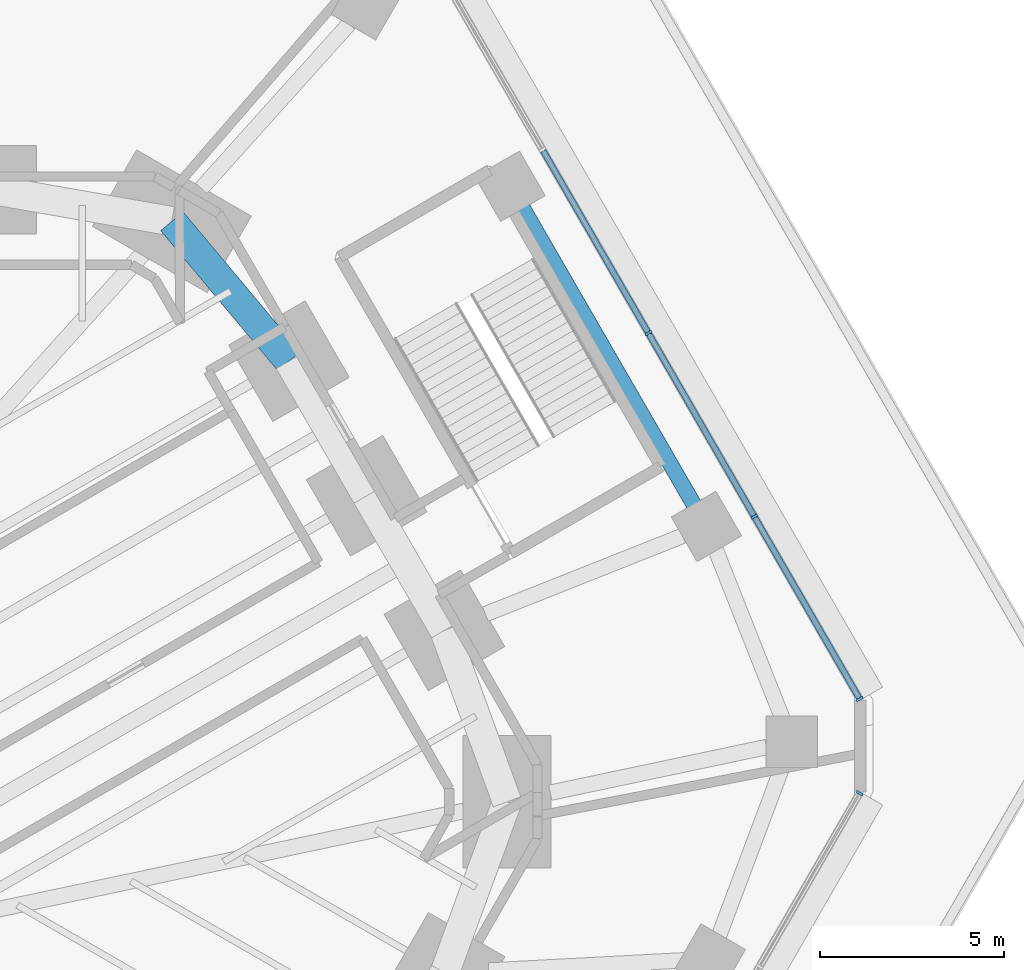
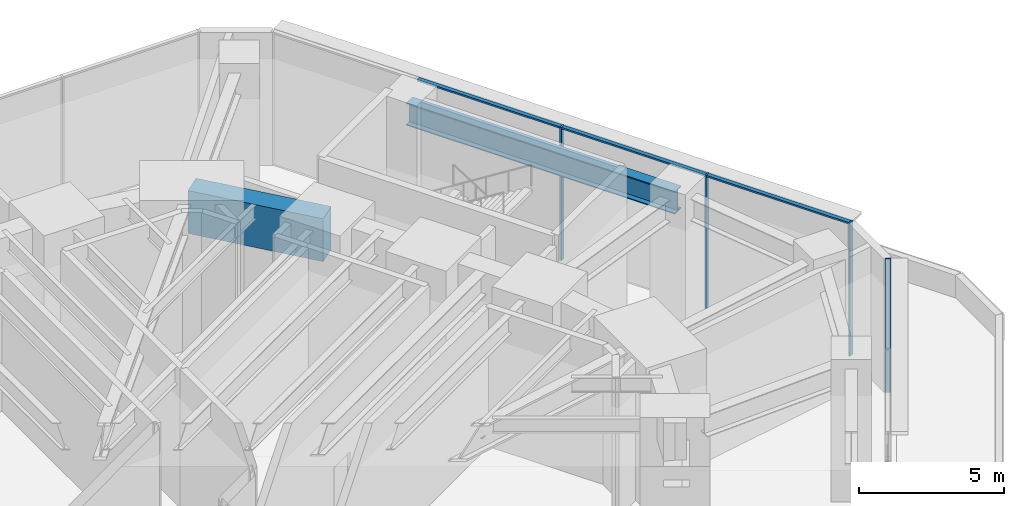
# One storey, part 9 of 24: 7 members, 2 beams, 2 elements without a shape of their own.
"""IFC4 building model written with IfcOpenShell, lengths in metres."""

from ifc_helpers import new_model, si_unit, direction, frame, origin, origin_2d, place, context, subcontext, project, spatial, rectangle, i_section, extrude, material, material_profile, profile_set, type_object, element, aggregate, save


model = new_model("IFC4")

# Units and contexts
model_context = context("Model", 3, precision=1e-05, world=origin(), true_north=direction((0.0, 1.0)))
body_context = subcontext(model_context, "Body", "Model", "MODEL_VIEW")
ifc_project = project(units=[si_unit("LENGTHUNIT", "METRE"), si_unit("AREAUNIT", "SQUARE_METRE"), si_unit("VOLUMEUNIT", "CUBIC_METRE"), si_unit("PLANEANGLEUNIT", "RADIAN"), si_unit("MASSUNIT", "GRAM", prefix="KILO")], contexts=[model_context])

# Site, building, storey
site_placement = place(None, origin())
site = spatial("IfcSite", under=ifc_project, at=site_placement, CompositionType="ELEMENT")
building_placement = place(site_placement, origin())
building = spatial("IfcBuilding", under=site, at=building_placement, Name="Sandreach Pilgrim Tower", CompositionType="ELEMENT")
storey_placement = place(building_placement, frame((0.0, 0.0, 12.0)))
storey = spatial("IfcBuildingStorey", under=building, at=storey_placement, Name="L02", CompositionType="ELEMENT", Elevation=12.0)

# Curtain wall, members
ifc_material_1 = material(Name="Aluminium framed curtain wall", Category="aluminium")
curtain_wall_type = type_object("IfcCurtainWallType", Name="Podium storefront curtain wall", PredefinedType="NOTDEFINED", material=ifc_material_1)
curtain_wall_1_placement = place(storey_placement, origin())
curtain_wall_1 = element("IfcCurtainWall", 1, at=curtain_wall_1_placement, inside=storey, type_object=curtain_wall_type, Name="CW-P L02 NE", PredefinedType="NOTDEFINED")
ifc_material_2 = material(Name="Aluminium extrusion", Category="aluminium")
ifc_material_profile_1 = material_profile(ifc_material_2, rectangle(XDim=0.070068359375, YDim=0.199951171875, at=origin_2d()), Name="CW-PM 70X200")
ifc_profile_set_1 = profile_set([ifc_material_profile_1], Name="Aluminium extrusion")
member_type_1 = type_object("IfcMemberType", Name="CW-P mullion", PredefinedType="MULLION", material=ifc_profile_set_1)
member_1_placement = place(storey_placement, frame((32.552734375, 18.794189453125, 0.0), z_axis=(0.0, 0.0, 1.0), x_axis=(0.5, -0.866025403784, 0.0)))
member_1 = element("IfcMember", 2, at=member_1_placement, type_object=member_type_1, Name="CW-P mullion 3", PredefinedType="MULLION", context=body_context, shape_type="SweptSolid", body=[
    extrude(rectangle(XDim=0.070068359375, YDim=0.199951171875, at=origin_2d()), origin(), (0.0, 0.0, 1.0), 5.60009765625),
])
member_2_placement = place(storey_placement, frame((35.4296875, 13.81103515625, 0.0), z_axis=(0.0, 0.0, 1.0), x_axis=(0.5, -0.866025403784, 0.0)))
member_2 = element("IfcMember", 3, at=member_2_placement, type_object=member_type_1, Name="CW-P mullion 4", PredefinedType="MULLION", context=body_context, shape_type="SweptSolid", body=[
    extrude(rectangle(XDim=0.070068359375, YDim=0.199951171875, at=origin_2d()), origin(), (0.0, 0.0, 1.0), 5.60009765625),
])
member_3_placement = place(storey_placement, frame((38.289306640625, 8.858154296875, 0.0), z_axis=(0.0, 0.0, 1.0), x_axis=(0.5, -0.866025403784, 0.0)))
member_3 = element("IfcMember", 4, at=member_3_placement, type_object=member_type_1, Name="CW-P mullion 5", PredefinedType="MULLION", context=body_context, shape_type="SweptSolid", body=[
    extrude(rectangle(XDim=0.070068359375, YDim=0.199951171875, at=origin_2d()), origin(), (0.0, 0.0, 1.0), 5.60009765625),
])

# Curtain wall, member
curtain_wall_2_placement = place(storey_placement, origin())
curtain_wall_2 = element("IfcCurtainWall", 5, at=curtain_wall_2_placement, inside=storey, type_object=curtain_wall_type, Name="CW-P L02 SE", PredefinedType="NOTDEFINED")
member_4_placement = place(storey_placement, frame((38.289306640625, 6.29736328125, 0.0), z_axis=(0.0, 0.0, 1.0), x_axis=(-0.5, -0.866025403784, 0.0)))
member_4 = element("IfcMember", 6, at=member_4_placement, type_object=member_type_1, Name="CW-P mullion 1", PredefinedType="MULLION", context=body_context, shape_type="SweptSolid", body=[
    extrude(rectangle(XDim=0.070068359375, YDim=0.199951171875, at=origin_2d()), origin(), (0.0, 0.0, 1.0), 5.60009765625),
])
aggregate(curtain_wall_2, [member_4])

# Member
ifc_material_3 = material(Name="Aluminium extrusion", Category="aluminium")
ifc_material_profile_2 = material_profile(ifc_material_3, rectangle(XDim=0.159912109375, YDim=0.070068359375, at=origin_2d()), Name="CW-PT 160X70")
ifc_profile_set_2 = profile_set([ifc_material_profile_2], Name="Aluminium extrusion")
member_type_2 = type_object("IfcMemberType", Name="CW-P transom", PredefinedType="USERDEFINED", material=ifc_profile_set_2)
member_5_placement = place(storey_placement, frame((29.693115234375, 23.747314453125, 5.56494140625), z_axis=(0.499996344484, -0.866027514288, 0.0), x_axis=(0.866027514288, 0.499996344484, 0.0)))
member_5 = element("IfcMember", 7, at=member_5_placement, type_object=member_type_2, Name="CW-P head transom 2", ObjectType="TRANSOM", PredefinedType="USERDEFINED", context=body_context, shape_type="SweptSolid", body=[
    extrude(rectangle(XDim=0.159912109375, YDim=0.070068359375, at=origin_2d()), origin(), (0.0, 0.0, 1.0), 5.68408203125),
])

member_6_placement = place(storey_placement, frame((32.5703125, 18.763916015625, 5.56494140625), z_axis=(0.499996344484, -0.866027514288, 0.0), x_axis=(0.866027514288, 0.499996344484, 0.0)))
member_6 = element("IfcMember", 8, at=member_6_placement, type_object=member_type_2, Name="CW-P head transom 3", ObjectType="TRANSOM", PredefinedType="USERDEFINED", context=body_context, shape_type="SweptSolid", body=[
    extrude(rectangle(XDim=0.159912109375, YDim=0.070068359375, at=origin_2d()), origin(), (0.0, 0.0, 1.0), 5.68408203125),
])

member_7_placement = place(storey_placement, frame((35.447265625, 13.78076171875, 5.56494140625), z_axis=(0.500015491618, -0.86601645951, 0.0), x_axis=(0.86601645951, 0.500015491618, 0.0)))
member_7 = element("IfcMember", 9, at=member_7_placement, type_object=member_type_2, Name="CW-P head transom 4", ObjectType="TRANSOM", PredefinedType="USERDEFINED", context=body_context, shape_type="SweptSolid", body=[
    extrude(rectangle(XDim=0.159912109375, YDim=0.070068359375, at=origin_2d()), origin(), (0.0, 0.0, 1.0), 5.649169921875),
])

aggregate(curtain_wall_1, [member_1, member_2, member_3, member_5, member_6, member_7])

# Beams
ifc_material_4 = material(Name="Steel ASTM A992 Grade 50", Category="steel")
ifc_material_profile_3 = material_profile(ifc_material_4, i_section(OverallWidth=0.424072265625, OverallDepth=0.947509765625, WebThickness=0.02392578125, FlangeThickness=0.042724609375, at=origin_2d()), Name="W36X302")
ifc_profile_set_3 = profile_set([ifc_material_profile_3], Name="Steel ASTM A992 Grade 50")
beam_type_1 = type_object("IfcBeamType", Name="Podium edge beam W36X302", PredefinedType="BEAM", material=ifc_profile_set_3)
beam_1_placement = place(storey_placement, frame((28.7939453125, 22.78466796875, 5.126220703125), z_axis=(0.500005016135, -0.866022507698, 0.0), x_axis=(0.866022507698, 0.500005016135, 0.0)))
element("IfcBeam", 10, at=beam_1_placement, inside=storey, type_object=beam_type_1, Name="BM L02 PE125-10", PredefinedType="BEAM", context=body_context, shape_type="SweptSolid", body=[
    extrude(i_section(OverallWidth=0.424072265625, OverallDepth=0.947509765625, WebThickness=0.02392578125, FlangeThickness=0.042724609375, at=origin_2d()), origin(), (0.0, 0.0, 1.0), 10.67041015625),
])
ifc_material_5 = material(Name="Concrete 10000 psi", Category="concrete")
ifc_material_profile_4 = material_profile(ifc_material_5, rectangle(XDim=0.800048828125, YDim=1.800048828125, at=origin_2d()), Name="RC800X1800")
ifc_profile_set_4 = profile_set([ifc_material_profile_4], Name="Concrete 10000 psi")
beam_type_2 = type_object("IfcBeamType", Name="Spandrel beam RC800X1800", PredefinedType="SPANDREL", material=ifc_profile_set_4)
beam_2_placement = place(storey_placement, frame((19.6064453125, 21.834716796875, 4.93994140625), z_axis=(0.641665295114, -0.766984777584, 0.0), x_axis=(0.766984777584, 0.641665295114, 0.0)))
element("IfcBeam", 11, at=beam_2_placement, inside=storey, type_object=beam_type_2, Name="BM L02 SP09", PredefinedType="SPANDREL", context=body_context, shape_type="SweptSolid", body=[
    extrude(rectangle(XDim=0.800048828125, YDim=1.800048828125, at=origin_2d()), origin(), (0.0, 0.0, 1.0), 4.9580078125),
])

save(model, "model.ifc")
